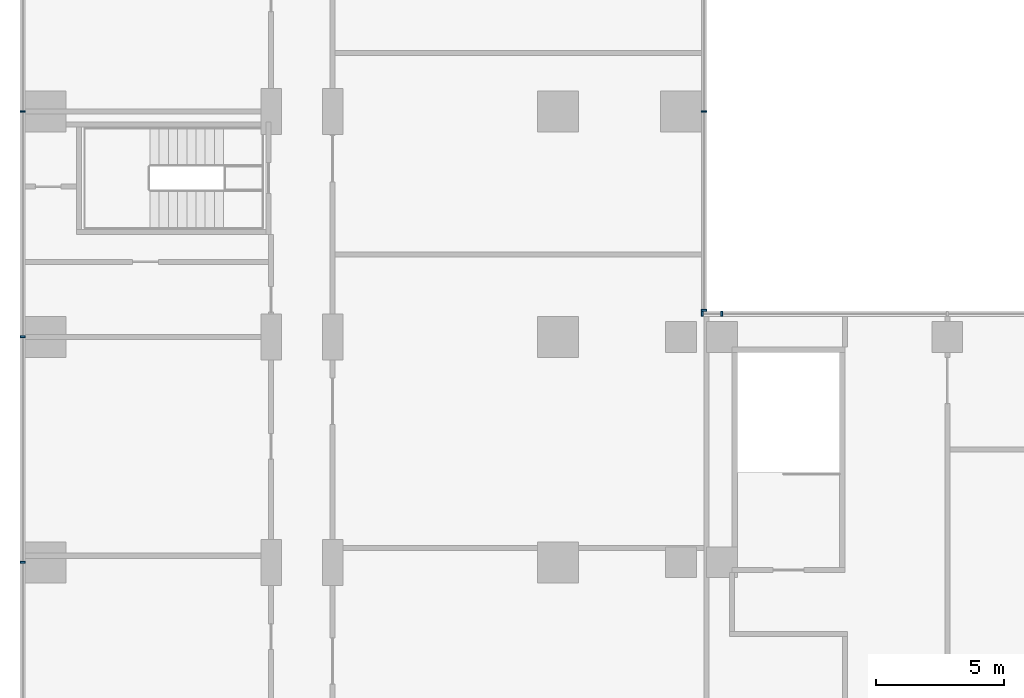
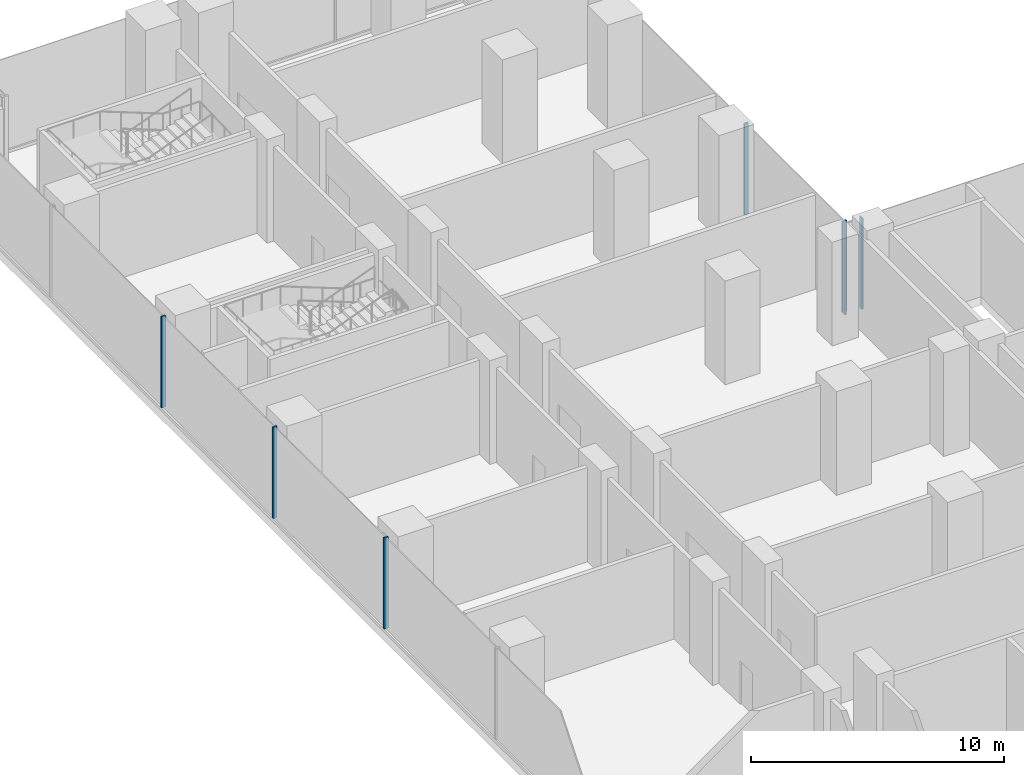
# One storey, part 7 of 27: 7 members, 3 elements without a shape of their own.
"""IFC4 building model written with IfcOpenShell, lengths in metres."""

from ifc_helpers import new_model, si_unit, direction, frame, origin, origin_2d, place, context, subcontext, project, spatial, rectangle, extrude, source, transform, mapped, material, material_profile, profile_set, type_object, element, aggregate, save


model = new_model("IFC4")

# Units and contexts
model_context = context("Model", 3, precision=1e-05, world=origin(), true_north=direction((0.0, 1.0)))
body_context = subcontext(model_context, "Body", "Model", "MODEL_VIEW")
ifc_project = project(units=[si_unit("LENGTHUNIT", "METRE"), si_unit("AREAUNIT", "SQUARE_METRE"), si_unit("VOLUMEUNIT", "CUBIC_METRE"), si_unit("PLANEANGLEUNIT", "RADIAN"), si_unit("MASSUNIT", "GRAM", prefix="KILO")], contexts=[model_context])

# Site, building, storey
site_placement = place(None, origin())
site = spatial("IfcSite", under=ifc_project, at=site_placement, CompositionType="ELEMENT")
building_placement = place(site_placement, origin())
building = spatial("IfcBuilding", under=site, at=building_placement, Name="Kemantara Hotel Tower", CompositionType="ELEMENT")
storey_placement = place(building_placement, frame((0.0, 0.0, 29.0)))
storey = spatial("IfcBuildingStorey", under=building, at=storey_placement, Name="L05", CompositionType="ELEMENT", Elevation=29.0)

# Curtain wall, members
ifc_material_1 = material(Name="Laminated tinted insulated glass 44 mm", Category="glass")
curtain_wall_type = type_object("IfcCurtainWallType", Name="PODIUM GLASS CURTAIN WALL", PredefinedType="USERDEFINED", material=ifc_material_1)
curtain_wall_1_placement = place(storey_placement, origin())
curtain_wall_1 = element("IfcCurtainWall", 1, at=curtain_wall_1_placement, inside=storey, type_object=curtain_wall_type, Name="CW1 L05 POD-R09-1", ObjectType="PODIUM GLASS CURTAIN WALL", PredefinedType="USERDEFINED")
ifc_material_2 = material(Name="Aluminium 6063-T6 bronze anodised", Category="aluminium")
ifc_material_profile = material_profile(ifc_material_2, rectangle(XDim=0.199951171875, YDim=0.074951171875, at=origin_2d()), Name="PODIUM GLASS CURTAIN WALL MULLION")
ifc_profile_set = profile_set([ifc_material_profile], Name="Aluminium 6063-T6 bronze anodised")
member_type = type_object("IfcMemberType", Name="PODIUM GLASS CURTAIN WALL MULLION", PredefinedType="MULLION", material=ifc_profile_set)
shared_shape = source(origin(), body_context, "Body", "SweptSolid", [
    extrude(rectangle(XDim=0.199951171875, YDim=0.074951171875, at=origin_2d()), origin(), (0.0, 0.0, 1.0), 4.400146484375),
])
member_1_placement = place(storey_placement, frame((27.39990234375, 54.699951171875, 0.14990234375), z_axis=(0.0, 0.0, 1.0), x_axis=(0.0, -1.0, 0.0)))
member_1 = element("IfcMember", 2, at=member_1_placement, type_object=member_type, Name="CW1 mullion POD-R09-1.6", PredefinedType="MULLION", context=body_context, shape_type="MappedRepresentation", body=[
    mapped(shared_shape, transform((0.0, 0.0, 0.0))),
])
member_2_placement = place(storey_placement, frame((26.637451171875, 54.699951171875, 0.14990234375), z_axis=(0.0, 0.0, 1.0), x_axis=(0.0, -1.0, 0.0)))
member_2 = element("IfcMember", 3, at=member_2_placement, type_object=member_type, Name="CW1 mullion POD-R09-1.7", PredefinedType="MULLION", context=body_context, shape_type="MappedRepresentation", body=[
    mapped(shared_shape, transform((0.0, 0.0, 0.0))),
])
aggregate(curtain_wall_1, [member_1, member_2])

curtain_wall_2_placement = place(storey_placement, origin())
curtain_wall_2 = element("IfcCurtainWall", 4, at=curtain_wall_2_placement, inside=storey, type_object=curtain_wall_type, Name="CW1 L05 POD-R10-1", ObjectType="PODIUM GLASS CURTAIN WALL", PredefinedType="USERDEFINED")
member_3_placement = place(storey_placement, frame((26.699951171875, 54.83740234375, 0.14990234375), z_axis=(0.0, 0.0, 1.0), x_axis=(-1.0, 0.0, 0.0)))
member_3 = element("IfcMember", 5, at=member_3_placement, type_object=member_type, Name="CW1 mullion POD-R10-1.1", PredefinedType="MULLION", context=body_context, shape_type="MappedRepresentation", body=[
    mapped(shared_shape, transform((0.0, 0.0, 0.0))),
])
member_4_placement = place(storey_placement, frame((26.699951171875, 62.60009765625, 0.14990234375), z_axis=(0.0, 0.0, 1.0), x_axis=(-1.0, 0.0, 0.0)))
member_4 = element("IfcMember", 6, at=member_4_placement, type_object=member_type, Name="CW1 mullion POD-R10-1.2", PredefinedType="MULLION", context=body_context, shape_type="MappedRepresentation", body=[
    mapped(shared_shape, transform((0.0, 0.0, 0.0))),
])
aggregate(curtain_wall_2, [member_3, member_4])

curtain_wall_3_placement = place(storey_placement, origin())
curtain_wall_3 = element("IfcCurtainWall", 7, at=curtain_wall_3_placement, inside=storey, type_object=curtain_wall_type, Name="CW1 L05 POD-R16-1", ObjectType="PODIUM GLASS CURTAIN WALL", PredefinedType="USERDEFINED")
member_5_placement = place(storey_placement, frame((0.10009765625, 62.60009765625, 0.14990234375), z_axis=(0.0, 0.0, 1.0), x_axis=(1.0, 0.0, 0.0)))
member_5 = element("IfcMember", 8, at=member_5_placement, type_object=member_type, Name="CW1 mullion POD-R16-1.3", PredefinedType="MULLION", context=body_context, shape_type="MappedRepresentation", body=[
    mapped(shared_shape, transform((0.0, 0.0, 0.0))),
])
member_6_placement = place(storey_placement, frame((0.10009765625, 53.800048828125, 0.14990234375), z_axis=(0.0, 0.0, 1.0), x_axis=(1.0, 0.0, 0.0)))
member_6 = element("IfcMember", 9, at=member_6_placement, type_object=member_type, Name="CW1 mullion POD-R16-1.4", PredefinedType="MULLION", context=body_context, shape_type="MappedRepresentation", body=[
    mapped(shared_shape, transform((0.0, 0.0, 0.0))),
])
member_7_placement = place(storey_placement, frame((0.10009765625, 45.0, 0.14990234375), z_axis=(0.0, 0.0, 1.0), x_axis=(1.0, 0.0, 0.0)))
member_7 = element("IfcMember", 10, at=member_7_placement, type_object=member_type, Name="CW1 mullion POD-R16-1.5", PredefinedType="MULLION", context=body_context, shape_type="MappedRepresentation", body=[
    mapped(shared_shape, transform((0.0, 0.0, 0.0))),
])
aggregate(curtain_wall_3, [member_5, member_6, member_7])

save(model, "model.ifc")
